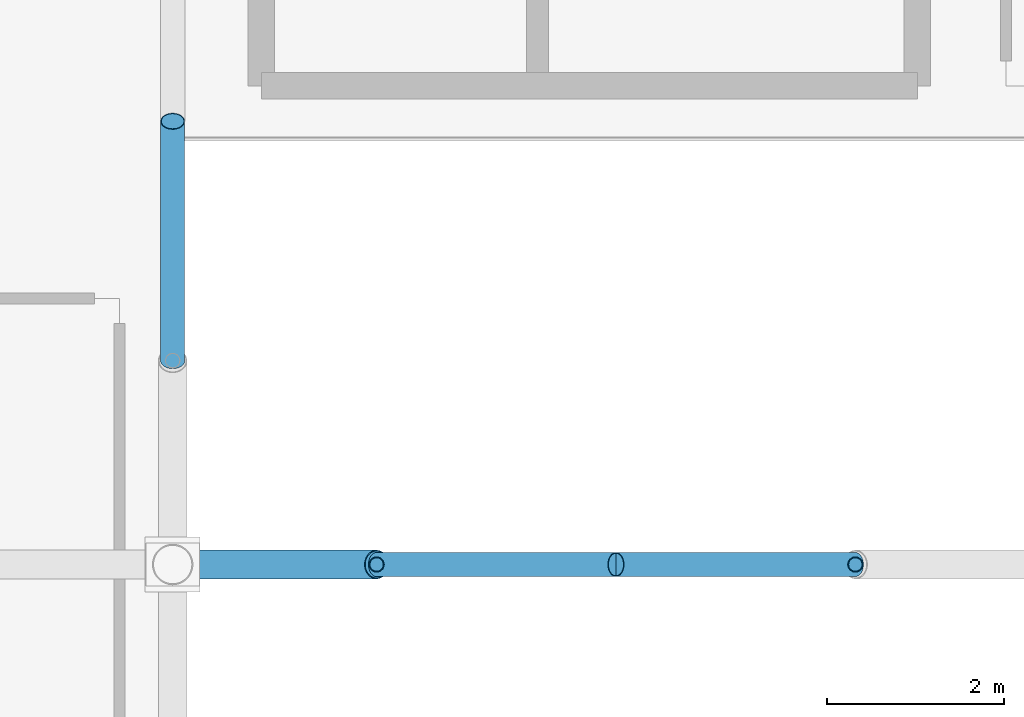
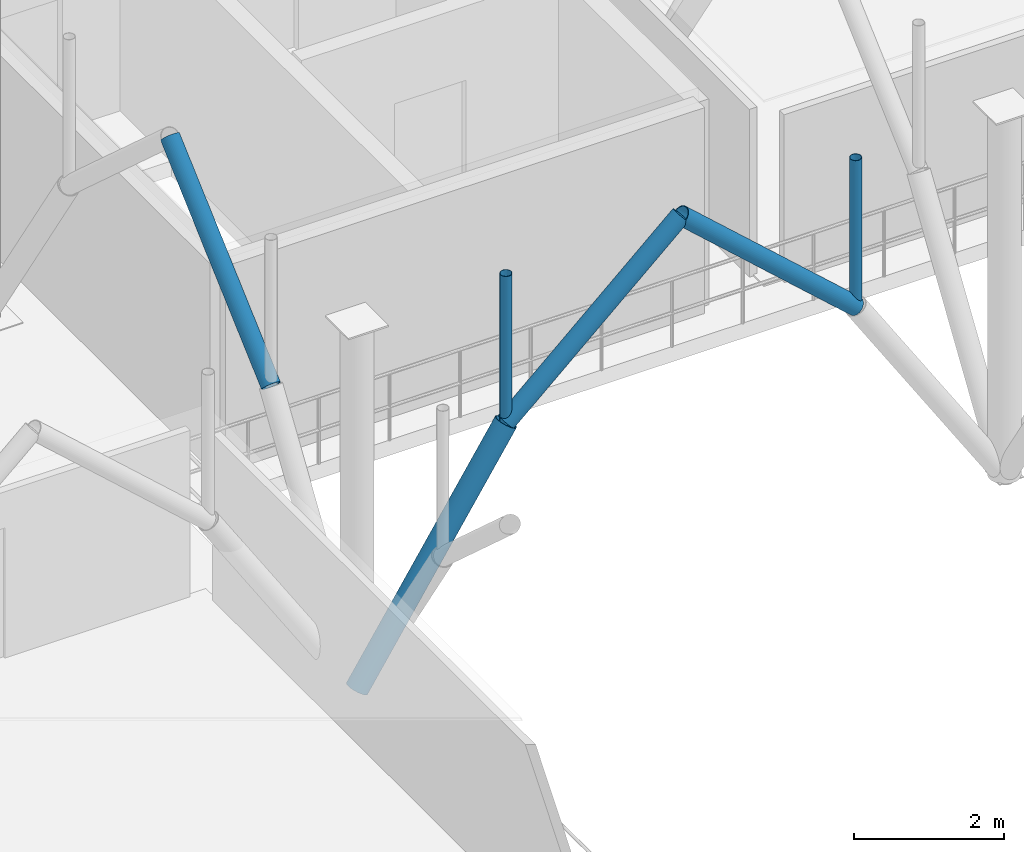
# One storey, part 48 of 109: 6 members.
"""IFC4 building model written with IfcOpenShell, lengths in metres."""

from ifc_helpers import new_model, si_unit, derived_unit, direction, frame, origin, origin_2d_with_axis, place, context, subcontext, project, spatial, hollow_circle, extrude, material, material_profile, profile_set, type_object, element, save


model = new_model("IFC4")

# Units and contexts
model_context = context("Model", 3, precision=1e-05, world=origin(), true_north=direction((0.0, 1.0)))
body_context = subcontext(model_context, "Body", "Model", "MODEL_VIEW")
ifc_project = project(units=[si_unit("LENGTHUNIT", "METRE"), si_unit("AREAUNIT", "SQUARE_METRE"), si_unit("VOLUMEUNIT", "CUBIC_METRE"), si_unit("PLANEANGLEUNIT", "RADIAN"), si_unit("MASSUNIT", "GRAM", prefix="KILO"), derived_unit("THERMALTRANSMITTANCEUNIT", [(si_unit("POWERUNIT", "WATT"), 1), (si_unit("LENGTHUNIT", "METRE"), -2), (si_unit("THERMODYNAMICTEMPERATUREUNIT", "KELVIN"), -1)])], contexts=[model_context])

# Site, building, storey
site_placement = place(None, origin())
site = spatial("IfcSite", under=ifc_project, at=site_placement, CompositionType="ELEMENT")
building_placement = place(site_placement, origin())
building = spatial("IfcBuilding", under=site, at=building_placement, Name="Cinnabar Yard Market Hall", CompositionType="ELEMENT")
storey_placement = place(building_placement, frame((0.0, 0.0, 8.39990234375)))
storey = spatial("IfcBuildingStorey", under=building, at=storey_placement, Name="L02", CompositionType="ELEMENT", Elevation=8.39990234375)

# Members
ifc_material_1 = material(Name="Spotted-gum glulam-clad steel Grade 350 (350 MPa)", Category="steel")
ifc_material_profile_1 = material_profile(ifc_material_1, hollow_circle(Radius=0.136474609375, WallThickness=0.00927734375, at=origin_2d_with_axis()), Name="273.1x9.3CHS")
ifc_profile_set_1 = profile_set([ifc_material_profile_1], Name="Spotted-gum glulam-clad steel Grade 350 (350 MPa)")
member_type_1 = type_object("IfcMemberType", Name="MB-AR01", PredefinedType="USERDEFINED", material=ifc_profile_set_1)
for number, where, z_axis, x_axis, name in (
    (1, (88.300048828125, 54.0, 3.550048828125), (0.743297488271, 0.0, 0.668961018244), (0.0, 1.0, 0.0), "Pointed Arch Rib 0024"),
    (2, (86.0, 56.300048828125, 3.550048828125), (0.0, 0.743297488271, 0.668961018244), (-1.0, 0.0, 0.0), "Pointed Arch Rib 0026"),
    (3, (93.699951171875, 54.0, 3.550048828125), (-0.743297488271, 0.0, 0.668961018244), (0.0, -1.0, 0.0), "Pointed Arch Rib 0041"),
):
    element("IfcMember", number, at=place(storey_placement, frame(where, z_axis=z_axis, x_axis=x_axis)), inside=storey, type_object=member_type_1, Name=name, ObjectType="ARCH RIB", PredefinedType="USERDEFINED", context=body_context, shape_type="SweptSolid", body=[
        extrude(hollow_circle(Radius=0.136474609375, WallThickness=0.00927734375, at=origin_2d_with_axis()), origin(), (0.0, 0.0, 1.0), 3.63232421875),
    ])
ifc_material_profile_2 = material_profile(ifc_material_1, hollow_circle(Radius=0.161865234375, WallThickness=0.009521484375, at=origin_2d_with_axis()), Name="323.9x9.5CHS")
ifc_profile_set_2 = profile_set([ifc_material_profile_2], Name="Spotted-gum glulam-clad steel Grade 350 (350 MPa)")
member_type_2 = type_object("IfcMemberType", Name="MB-ST01", PredefinedType="STRUT", material=ifc_profile_set_2)
member_placement = place(storey_placement, frame((86.0, 54.0, 0.0), z_axis=(0.543744165176, 0.0, 0.839251024925), x_axis=(0.0, 1.0, 0.0)))
element("IfcMember", 4, at=member_placement, inside=storey, type_object=member_type_2, Name="Curved Branch Arm Lower 0024", PredefinedType="STRUT", context=body_context, shape_type="SweptSolid", body=[
    extrude(hollow_circle(Radius=0.161865234375, WallThickness=0.009521484375, at=origin_2d_with_axis()), origin(), (0.0, 0.0, 1.0), 4.22998046875),
])
ifc_material_2 = material(Name="Cold-formed steel C350L0", Category="steel")
ifc_material_profile_3 = material_profile(ifc_material_2, hollow_circle(Radius=0.084228515625, WallThickness=0.00634765625, at=origin_2d_with_axis()), Name="168.3x6.4CHS")
ifc_profile_set_3 = profile_set([ifc_material_profile_3], Name="Cold-formed steel C350L0")
member_type_3 = type_object("IfcMemberType", Name="MB-WB01", PredefinedType="STRUT", material=ifc_profile_set_3)
for number, where, z_axis, x_axis, name in (
    (5, (88.300048828125, 54.0, 3.550048828125), (0.0, 0.0, 1.0), (1.0, 0.0, 0.0), "Arch Spandrel Post 0024"),
    (6, (93.699951171875, 54.0, 3.550048828125), (0.0, 0.0, 1.0), (1.0, 0.0, 0.0), "Arch Spandrel Post 0041"),
):
    element("IfcMember", number, at=place(storey_placement, frame(where, z_axis=z_axis, x_axis=x_axis)), inside=storey, type_object=member_type_3, Name=name, PredefinedType="STRUT", context=body_context, shape_type="SweptSolid", body=[
        extrude(hollow_circle(Radius=0.084228515625, WallThickness=0.00634765625, at=origin_2d_with_axis()), origin(), (0.0, 0.0, 1.0), 2.429931640625),
    ])

save(model, "model.ifc")
